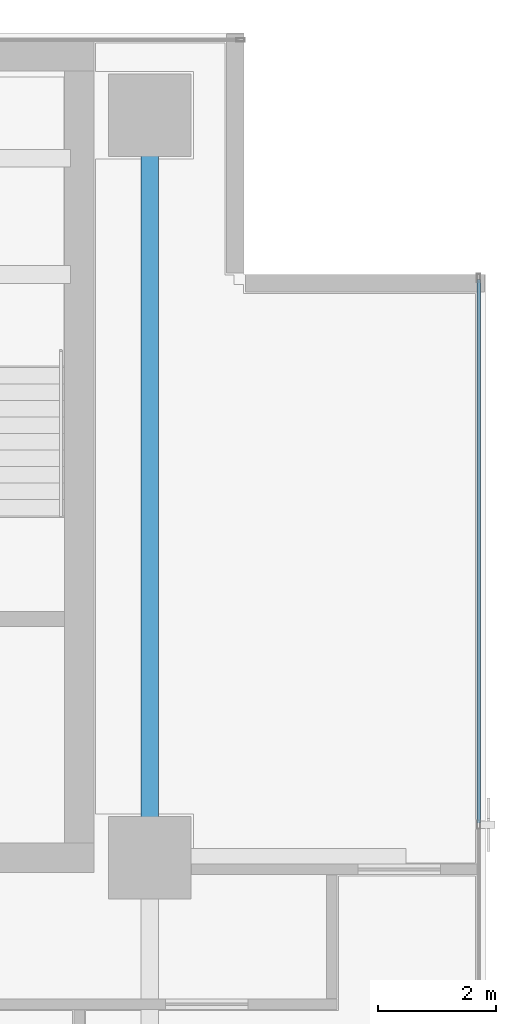
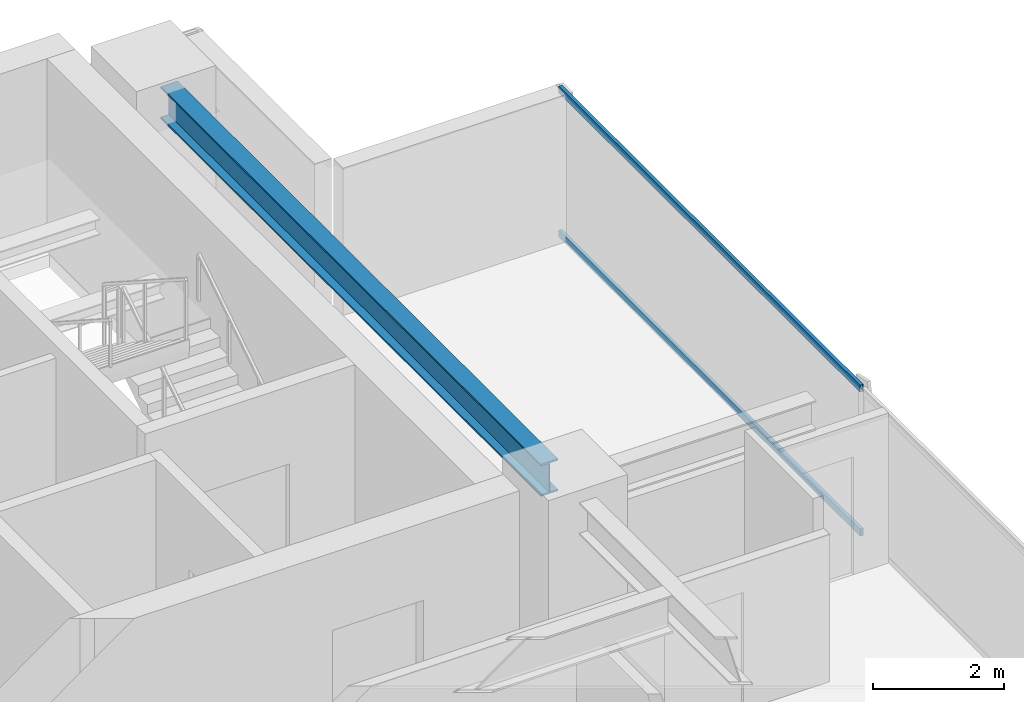
# One storey, part 14 of 25: 2 members, 1 beam, 1 element without a shape of its own.
"""IFC4 building model written with IfcOpenShell, lengths in metres."""

from ifc_helpers import new_model, si_unit, direction, frame, origin, origin_2d, place, context, subcontext, project, spatial, hollow_rectangle, i_section, extrude, source, transform, mapped, material, layer, layer_set, material_profile, profile_set, type_object, element, aggregate, save


model = new_model("IFC4")

# Units and contexts
model_context = context("Model", 3, precision=1e-05, world=origin(), true_north=direction((0.0, 1.0)))
body_context = subcontext(model_context, "Body", "Model", "MODEL_VIEW")
ifc_project = project(units=[si_unit("LENGTHUNIT", "METRE"), si_unit("AREAUNIT", "SQUARE_METRE"), si_unit("VOLUMEUNIT", "CUBIC_METRE"), si_unit("PLANEANGLEUNIT", "RADIAN"), si_unit("MASSUNIT", "GRAM", prefix="KILO")], contexts=[model_context])

# Site, building, storey
site_placement = place(None, origin())
site = spatial("IfcSite", under=ifc_project, at=site_placement, CompositionType="ELEMENT")
building_placement = place(site_placement, origin())
building = spatial("IfcBuilding", under=site, at=building_placement, Name="Sumidabori Civic Tower", CompositionType="ELEMENT")
storey_placement = place(building_placement, frame((0.0, 0.0, 268.39990234375)))
storey = spatial("IfcBuildingStorey", under=building, at=storey_placement, Name="L70", CompositionType="ELEMENT", Elevation=268.39990234375)

# Beam
ifc_material_1 = material(Name="Steel SN490", Category="steel")
ifc_material_profile_1 = material_profile(ifc_material_1, i_section(OverallWidth=0.300048828125, OverallDepth=0.60009765625, WebThickness=0.015380859375, FlangeThickness=0.030029296875, at=origin_2d()), Name="HE 600 B")
ifc_profile_set_1 = profile_set([ifc_material_profile_1], Name="Steel SN490")
beam_type = type_object("IfcBeamType", Name="BM-GIRD-600", PredefinedType="BEAM", material=ifc_profile_set_1)
shared_shape_1 = source(origin(), body_context, "Body", "SweptSolid", [
    extrude(i_section(OverallWidth=0.300048828125, OverallDepth=0.60009765625, WebThickness=0.015380859375, FlangeThickness=0.030029296875, at=origin_2d()), origin(), (0.0, 0.0, 1.0), 11.64013671875),
])
beam_placement = place(storey_placement, frame((16.800048828125, 10.679931640625, 3.070068359375), z_axis=(0.0, 1.0, 0.0), x_axis=(-1.0, 0.0, 0.0)))
element("IfcBeam", 1, at=beam_placement, inside=storey, type_object=beam_type, Name="Primary Girder L70 GY-17", PredefinedType="BEAM", context=body_context, shape_type="MappedRepresentation", body=[
    mapped(shared_shape_1, transform((0.0, 0.0, 0.0), x_axis=(1.0, 0.0, 0.0), y_axis=(0.0, 1.0, 0.0), z_axis=(0.0, 0.0, 1.0), scale=1.0)),
])

# Curtain wall, members
ifc_material_2 = material(Name="Anodised Bronze Aluminium AW-6063-T6", Category="aluminium")
ifc_layer = layer(ifc_material_2, 0.179931640625, Name="Anodised Bronze Aluminium AW-6063-T6")
ifc_layer_set = layer_set([ifc_layer], Name="Anodised Bronze Aluminium AW-6063-T6")
curtain_wall_type = type_object("IfcCurtainWallType", Name="CW-SYS-5", PredefinedType="NOTDEFINED", material=ifc_layer_set)
curtain_wall_placement = place(storey_placement, origin())
curtain_wall = element("IfcCurtainWall", 2, at=curtain_wall_placement, inside=storey, type_object=curtain_wall_type, Name="Curtain Wall CW:L70:R04", PredefinedType="NOTDEFINED")
ifc_material_profile_2 = material_profile(ifc_material_2, hollow_rectangle(XDim=0.06005859375, YDim=0.1298828125, WallThickness=0.0048828125, at=origin_2d()), Name="ALU TRANSOM 130x60")
ifc_profile_set_2 = profile_set([ifc_material_profile_2], Name="Anodised Bronze Aluminium AW-6063-T6")
member_type = type_object("IfcMemberType", Name="CW-TRN-130", PredefinedType="USERDEFINED", material=ifc_profile_set_2)
shared_shape_2 = source(origin(), body_context, "Body", "SweptSolid", [
    extrude(hollow_rectangle(XDim=0.06005859375, YDim=0.1298828125, WallThickness=0.0048828125, at=origin_2d()), origin(), (0.0, 0.0, 1.0), 9.223388671875),
])
member_1_placement = place(storey_placement, frame((22.3798828125, 10.78662109375, 0.030029296875), z_axis=(0.0, 1.0, 0.0), x_axis=(-1.0, 0.0, 0.0)))
member_1 = element("IfcMember", 3, at=member_1_placement, type_object=member_type, Name="CW-5 transom 3.1", ObjectType="TRANSOM", PredefinedType="USERDEFINED", context=body_context, shape_type="MappedRepresentation", body=[
    mapped(shared_shape_2, transform((0.0, 0.0, 0.0), x_axis=(1.0, 0.0, 0.0), y_axis=(0.0, 1.0, 0.0), z_axis=(0.0, 0.0, 1.0), scale=1.0)),
])
member_2_placement = place(storey_placement, frame((22.3798828125, 10.78662109375, 2.72021484375), z_axis=(0.0, 1.0, 0.0), x_axis=(-1.0, 0.0, 0.0)))
member_2 = element("IfcMember", 4, at=member_2_placement, type_object=member_type, Name="CW-5 transom 3.2", ObjectType="TRANSOM", PredefinedType="USERDEFINED", context=body_context, shape_type="MappedRepresentation", body=[
    mapped(shared_shape_2, transform((0.0, 0.0, 0.0), x_axis=(1.0, 0.0, 0.0), y_axis=(0.0, 1.0, 0.0), z_axis=(0.0, 0.0, 1.0), scale=1.0)),
])
aggregate(curtain_wall, [member_1, member_2])

save(model, "model.ifc")
